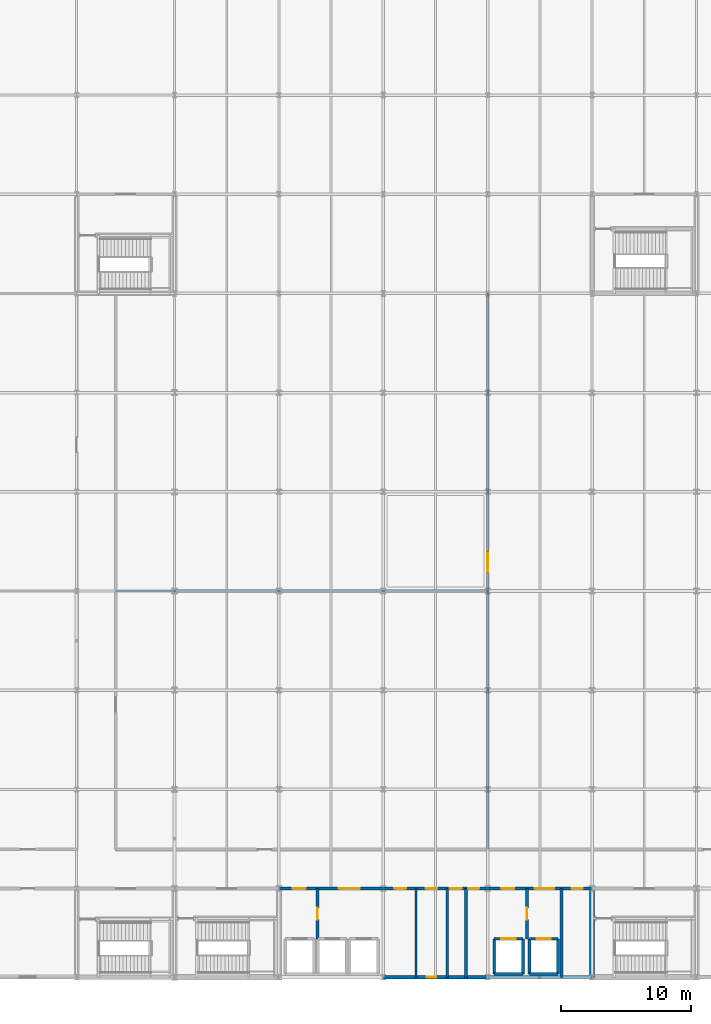
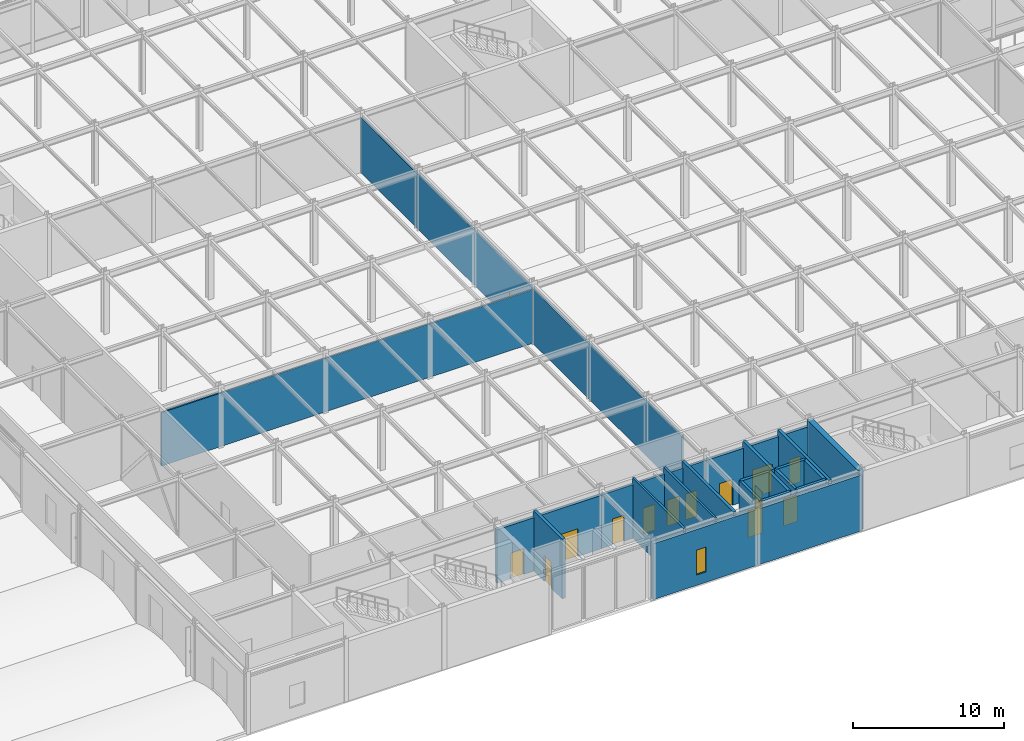
# One storey, part 58 of 79: 22 walls, 14 doors, 1 window, 15 openings.
"""IFC4 building model written with IfcOpenShell, lengths in metres."""

from ifc_helpers import new_model, si_unit, direction, frame, frame_2d, origin, place, context, subcontext, project, spatial, rectangle, extrude, material, layer, layer_set, type_object, element, fill, save


model = new_model("IFC4")

# Units and contexts
model_context = context("Model", 3, precision=1e-05, world=origin(), true_north=direction((0.0, 1.0)))
body_context = subcontext(model_context, "Body", "Model", "MODEL_VIEW")
ifc_project = project(units=[si_unit("LENGTHUNIT", "METRE"), si_unit("AREAUNIT", "SQUARE_METRE"), si_unit("VOLUMEUNIT", "CUBIC_METRE"), si_unit("PLANEANGLEUNIT", "RADIAN"), si_unit("MASSUNIT", "GRAM", prefix="KILO")], contexts=[model_context])

# Site, building, storey
site_placement = place(None, origin())
site = spatial("IfcSite", under=ifc_project, at=site_placement, CompositionType="ELEMENT")
building_placement = place(site_placement, origin())
building = spatial("IfcBuilding", under=site, at=building_placement, Name="Shalkamar Park Central Library", CompositionType="ELEMENT")
storey_placement = place(building_placement, frame((0.0, 0.0, 10.5)))
storey = spatial("IfcBuildingStorey", under=building, at=storey_placement, Name="L03", CompositionType="ELEMENT", Elevation=10.5)

# Wall, opening, door
ifc_material_1 = material(Name="Acoustic insulated reading partition", Category="masonry")
ifc_layer_1 = layer(ifc_material_1, 0.139892578125)
ifc_layer_set_1 = layer_set([ifc_layer_1], Name="AcousticPartition_140")
wall_type_1 = type_object("IfcWallType", Name="Acoustic Partition 140", PredefinedType="PARTITIONING", material=ifc_layer_set_1)
wall_1_placement = place(storey_placement, frame((189.0, 258.199951171875, 0.0), z_axis=(0.0, 0.0, 1.0), x_axis=(0.0, 1.0, 0.0)))
wall_1 = element("IfcWall", 1, at=wall_1_placement, inside=storey, type_object=wall_type_1, Name="Interior Partition WL-INT-L03-023", PredefinedType="PARTITIONING", context=body_context, shape_type="SweptSolid", body=[
    extrude(rectangle(XDim=42.60009765625, YDim=0.139892578125, at=frame_2d((21.300048828125, 0.0))), origin(), (0.0, 0.0, 1.0), 4.43798828125),
])
opening_1_placement = place(wall_1_placement, frame((21.199951171875, 0.0, 0.0)))
opening_1 = element("IfcOpeningElement", 2, at=opening_1_placement, cuts=wall_1, Name="Opening DR-L03-024", PredefinedType="OPENING", context=body_context, shape_type="SweptSolid", body=[
    extrude(rectangle(XDim=1.60009765625, YDim=2.25, at=frame_2d((0.800048828125, 1.125))), frame((0.0, 0.0849609375, 0.0), z_axis=(0.0, -1.0, 0.0), x_axis=(1.0, 0.0, 0.0)), (0.0, 0.0, 1.0), 0.169677734375),
])
ifc_material_2 = material(Name="Steel S355", Category="steel")
door_type_1 = type_object("IfcDoorType", Name="Interior Door Double 1600x2250", OperationType="DOUBLE_DOOR_SINGLE_SWING", PredefinedType="DOOR", material=ifc_material_2)
door_1_placement = place(opening_1_placement, frame((1.60009765625, 0.0, 0.0), z_axis=(0.0, 0.0, 1.0), x_axis=(-1.0, 0.0, 0.0)))
door_1 = element("IfcDoor", 3, at=door_1_placement, inside=storey, type_object=door_type_1, Name="Stacks West Interconnect Door", OperationType="DOUBLE_DOOR_SINGLE_SWING", OverallHeight=2.25, OverallWidth=1.60009765625, PredefinedType="DOOR", context=body_context, shape_type="SweptSolid", body=[
    extrude(rectangle(XDim=1.60009765625, YDim=2.25, at=frame_2d((0.800048828125, 1.125))), frame((0.0, 0.02490234375, 0.0), z_axis=(0.0, -1.0, 0.0), x_axis=(1.0, 0.0, 0.0)), (0.0, 0.0, 1.0), 0.050048828125),
])
fill(opening_1, door_1)

ifc_material_3 = material(Name="Reinforced fire-compartment masonry wall", Category="masonry")
ifc_layer_2 = layer(ifc_material_3, 0.239990234375)
ifc_layer_set_2 = layer_set([ifc_layer_2], Name="CompartmentWall_240")
wall_type_2 = type_object("IfcWallType", Name="Compartment Wall 240", PredefinedType="PARTITIONING", material=ifc_layer_set_2)
wall_2_placement = place(storey_placement, frame((175.949951171875, 251.35009765625, 0.0), z_axis=(0.0, 0.0, 1.0), x_axis=(0.0, 1.0, 0.0)))
wall_2 = element("IfcWall", 4, at=wall_2_placement, inside=storey, type_object=wall_type_2, Name="Interior Partition WL-INT-L03-001", PredefinedType="PARTITIONING", context=body_context, shape_type="SweptSolid", body=[
    extrude(rectangle(XDim=3.849853515625, YDim=0.239990234375, at=frame_2d((1.9248046875, 0.0))), origin(), (0.0, 0.0, 1.0), 4.840087890625),
])
opening_2_placement = place(wall_2_placement, frame((1.47509765625, 0.0, 0.0)))
opening_2 = element("IfcOpeningElement", 5, at=opening_2_placement, cuts=wall_2, Name="Opening DR-L03-001", PredefinedType="OPENING", context=body_context, shape_type="SweptSolid", body=[
    extrude(rectangle(XDim=0.89990234375, YDim=2.10009765625, at=frame_2d((0.449951171875, 1.050048828125))), frame((0.0, 0.134765625, 0.0), z_axis=(0.0, -1.0, 0.0), x_axis=(1.0, 0.0, 0.0)), (0.0, 0.0, 1.0), 0.269775390625),
])
door_type_2 = type_object("IfcDoorType", Name="Fire Door Single 900x2100", OperationType="NOTDEFINED", PredefinedType="DOOR", material=ifc_material_2)
door_2_placement = place(opening_2_placement, origin())
door_2 = element("IfcDoor", 6, at=door_2_placement, inside=storey, type_object=door_type_2, Name="Fire Lobby Interconnect Door", OperationType="SINGLE_SWING_LEFT", OverallHeight=2.10009765625, OverallWidth=0.89990234375, PredefinedType="DOOR", context=body_context, shape_type="SweptSolid", body=[
    extrude(rectangle(XDim=0.89990234375, YDim=2.10009765625, at=frame_2d((0.449951171875, 1.050048828125))), frame((0.0, 0.02490234375, 0.0), z_axis=(0.0, -1.0, 0.0), x_axis=(1.0, 0.0, 0.0)), (0.0, 0.0, 1.0), 0.050048828125),
])
fill(opening_2, door_2)

wall_3_placement = place(storey_placement, frame((192.0, 251.35009765625, 0.0), z_axis=(0.0, 0.0, 1.0), x_axis=(0.0, 1.0, 0.0)))
wall_3 = element("IfcWall", 7, at=wall_3_placement, inside=storey, type_object=wall_type_2, Name="Interior Partition WL-INT-L03-002", PredefinedType="PARTITIONING", context=body_context, shape_type="SweptSolid", body=[
    extrude(rectangle(XDim=3.849853515625, YDim=0.239990234375, at=frame_2d((1.9248046875, 0.0))), origin(), (0.0, 0.0, 1.0), 4.840087890625),
])
opening_3_placement = place(wall_3_placement, frame((1.47509765625, 0.0, 0.0)))
opening_3 = element("IfcOpeningElement", 8, at=opening_3_placement, cuts=wall_3, Name="Opening DR-L03-002", PredefinedType="OPENING", context=body_context, shape_type="SweptSolid", body=[
    extrude(rectangle(XDim=0.89990234375, YDim=2.10009765625, at=frame_2d((0.449951171875, 1.050048828125))), frame((0.0, 0.134765625, 0.0), z_axis=(0.0, -1.0, 0.0), x_axis=(1.0, 0.0, 0.0)), (0.0, 0.0, 1.0), 0.269775390625),
])
door_3_placement = place(opening_3_placement, frame((0.89990234375, 0.0, 0.0), z_axis=(0.0, 0.0, 1.0), x_axis=(-1.0, 0.0, 0.0)))
door_3 = element("IfcDoor", 9, at=door_3_placement, inside=storey, type_object=door_type_2, Name="Fire Lobby Interconnect Door", OperationType="SINGLE_SWING_LEFT", OverallHeight=2.10009765625, OverallWidth=0.89990234375, PredefinedType="DOOR", context=body_context, shape_type="SweptSolid", body=[
    extrude(rectangle(XDim=0.89990234375, YDim=2.10009765625, at=frame_2d((0.449951171875, 1.050048828125))), frame((0.0, 0.02490234375, 0.0), z_axis=(0.0, -1.0, 0.0), x_axis=(1.0, 0.0, 0.0)), (0.0, 0.0, 1.0), 0.050048828125),
])
fill(opening_3, door_3)

# Wall, openings, doors
wall_4_placement = place(storey_placement, frame((173.0, 255.199951171875, 0.0), z_axis=(0.0, 0.0, 1.0), x_axis=(1.0, 0.0, 0.0)))
wall_4 = element("IfcWall", 10, at=wall_4_placement, inside=storey, type_object=wall_type_2, Name="Interior Partition WL-INT-L03-007", PredefinedType="PARTITIONING", context=body_context, shape_type="SweptSolid", body=[
    extrude(rectangle(XDim=8.0, YDim=0.239990234375, at=frame_2d((4.0, 0.0))), origin(), (0.0, 0.0, 1.0), 4.337890625),
])
opening_4_placement = place(wall_4_placement, frame((1.050048828125, 0.0, 0.0)))
opening_4 = element("IfcOpeningElement", 11, at=opening_4_placement, cuts=wall_4, Name="Opening DR-L03-003", PredefinedType="OPENING", context=body_context, shape_type="SweptSolid", body=[
    extrude(rectangle(XDim=1.0, YDim=2.10009765625, at=frame_2d((0.5, 1.050048828125))), frame((0.0, 0.134765625, 0.0), z_axis=(0.0, -1.0, 0.0), x_axis=(1.0, 0.0, 0.0)), (0.0, 0.0, 1.0), 0.269775390625),
])
opening_5_placement = place(wall_4_placement, frame((4.60009765625, 0.0, 0.0)))
opening_5 = element("IfcOpeningElement", 12, at=opening_5_placement, cuts=wall_4, Name="Opening DR-L03-004", PredefinedType="OPENING", context=body_context, shape_type="SweptSolid", body=[
    extrude(rectangle(XDim=1.60009765625, YDim=2.25, at=frame_2d((0.800048828125, 1.125))), frame((0.0, 0.134765625, 0.0), z_axis=(0.0, -1.0, 0.0), x_axis=(1.0, 0.0, 0.0)), (0.0, 0.0, 1.0), 0.269775390625),
])
door_type_3 = type_object("IfcDoorType", Name="Fire Door Single 1000x2100", OperationType="NOTDEFINED", PredefinedType="DOOR", material=ifc_material_2)
door_4_placement = place(opening_4_placement, origin())
door_4 = element("IfcDoor", 13, at=door_4_placement, inside=storey, type_object=door_type_3, Name="West Firefighting Lobby Door", OperationType="SINGLE_SWING_LEFT", OverallHeight=2.10009765625, OverallWidth=1.0, PredefinedType="DOOR", context=body_context, shape_type="SweptSolid", body=[
    extrude(rectangle(XDim=1.0, YDim=2.10009765625, at=frame_2d((0.5, 1.050048828125))), frame((0.0, 0.02490234375, 0.0), z_axis=(0.0, -1.0, 0.0), x_axis=(1.0, 0.0, 0.0)), (0.0, 0.0, 1.0), 0.050048828125),
])
fill(opening_4, door_4)
door_5_placement = place(opening_5_placement, frame((1.60009765625, 0.0, 0.0), z_axis=(0.0, 0.0, 1.0), x_axis=(-1.0, 0.0, 0.0)))
door_5 = element("IfcDoor", 14, at=door_5_placement, inside=storey, type_object=door_type_1, Name="West Lift Lobby Entrance", OperationType="DOUBLE_DOOR_SINGLE_SWING", OverallHeight=2.25, OverallWidth=1.60009765625, PredefinedType="DOOR", context=body_context, shape_type="SweptSolid", body=[
    extrude(rectangle(XDim=1.60009765625, YDim=2.25, at=frame_2d((0.800048828125, 1.125))), frame((0.0, 0.02490234375, 0.0), z_axis=(0.0, -1.0, 0.0), x_axis=(1.0, 0.0, 0.0)), (0.0, 0.0, 1.0), 0.050048828125),
])
fill(opening_5, door_5)

wall_5_placement = place(storey_placement, frame((189.0, 255.199951171875, 0.0), z_axis=(0.0, 0.0, 1.0), x_axis=(1.0, 0.0, 0.0)))
wall_5 = element("IfcWall", 15, at=wall_5_placement, inside=storey, type_object=wall_type_2, Name="Interior Partition WL-INT-L03-009", PredefinedType="PARTITIONING", context=body_context, shape_type="SweptSolid", body=[
    extrude(rectangle(XDim=8.0, YDim=0.239990234375, at=frame_2d((4.0, 0.0))), origin(), (0.0, 0.0, 1.0), 4.337890625),
])
opening_6_placement = place(wall_5_placement, frame((1.050048828125, 0.0, 0.0)))
opening_6 = element("IfcOpeningElement", 16, at=opening_6_placement, cuts=wall_5, Name="Opening DR-L03-009", PredefinedType="OPENING", context=body_context, shape_type="SweptSolid", body=[
    extrude(rectangle(XDim=1.0, YDim=2.10009765625, at=frame_2d((0.5, 1.050048828125))), frame((0.0, 0.134765625, 0.0), z_axis=(0.0, -1.0, 0.0), x_axis=(1.0, 0.0, 0.0)), (0.0, 0.0, 1.0), 0.269775390625),
])
opening_7_placement = place(wall_5_placement, frame((3.60009765625, 0.0, 0.0)))
opening_7 = element("IfcOpeningElement", 17, at=opening_7_placement, cuts=wall_5, Name="Opening DR-L03-010", PredefinedType="OPENING", context=body_context, shape_type="SweptSolid", body=[
    extrude(rectangle(XDim=1.5, YDim=2.25, at=frame_2d((0.75, 1.125))), frame((0.0, 0.134765625, 0.0), z_axis=(0.0, -1.0, 0.0), x_axis=(1.0, 0.0, 0.0)), (0.0, 0.0, 1.0), 0.269775390625),
])
opening_8_placement = place(wall_5_placement, frame((6.425048828125, 0.0, 0.0)))
opening_8 = element("IfcOpeningElement", 18, at=opening_8_placement, cuts=wall_5, Name="Opening DR-L03-011", PredefinedType="OPENING", context=body_context, shape_type="SweptSolid", body=[
    extrude(rectangle(XDim=0.85009765625, YDim=2.10009765625, at=frame_2d((0.425048828125, 1.050048828125))), frame((0.0, 0.134765625, 0.0), z_axis=(0.0, -1.0, 0.0), x_axis=(1.0, 0.0, 0.0)), (0.0, 0.0, 1.0), 0.269775390625),
])
door_type_4 = type_object("IfcDoorType", Name="Fire Door Riser 850x2100", OperationType="NOTDEFINED", PredefinedType="DOOR", material=ifc_material_2)
door_6_placement = place(opening_8_placement, frame((0.85009765625, 0.0, 0.0), z_axis=(0.0, 0.0, 1.0), x_axis=(-1.0, 0.0, 0.0)))
door_6 = element("IfcDoor", 19, at=door_6_placement, inside=storey, type_object=door_type_4, Name="Mechanical Riser Access Door", OperationType="SINGLE_SWING_LEFT", OverallHeight=2.10009765625, OverallWidth=0.85009765625, PredefinedType="DOOR", context=body_context, shape_type="SweptSolid", body=[
    extrude(rectangle(XDim=0.85009765625, YDim=2.10009765625, at=frame_2d((0.425048828125, 1.050048828125))), frame((0.0, 0.02490234375, 0.0), z_axis=(0.0, -1.0, 0.0), x_axis=(1.0, 0.0, 0.0)), (0.0, 0.0, 1.0), 0.050048828125),
])
fill(opening_8, door_6)
door_7_placement = place(opening_6_placement, origin())
door_7 = element("IfcDoor", 20, at=door_7_placement, inside=storey, type_object=door_type_3, Name="East Firefighting Lobby Door", OperationType="SINGLE_SWING_LEFT", OverallHeight=2.10009765625, OverallWidth=1.0, PredefinedType="DOOR", context=body_context, shape_type="SweptSolid", body=[
    extrude(rectangle(XDim=1.0, YDim=2.10009765625, at=frame_2d((0.5, 1.050048828125))), frame((0.0, 0.02490234375, 0.0), z_axis=(0.0, -1.0, 0.0), x_axis=(1.0, 0.0, 0.0)), (0.0, 0.0, 1.0), 0.050048828125),
])
fill(opening_6, door_7)
door_type_5 = type_object("IfcDoorType", Name="Interior Door Double 1500x2250", OperationType="DOUBLE_DOOR_SINGLE_SWING", PredefinedType="DOOR", material=ifc_material_2)
door_8_placement = place(opening_7_placement, origin())
door_8 = element("IfcDoor", 21, at=door_8_placement, inside=storey, type_object=door_type_5, Name="East Lift Lobby Entrance", OperationType="DOUBLE_DOOR_SINGLE_SWING", OverallHeight=2.25, OverallWidth=1.5, PredefinedType="DOOR", context=body_context, shape_type="SweptSolid", body=[
    extrude(rectangle(XDim=1.5, YDim=2.25, at=frame_2d((0.75, 1.125))), frame((0.0, 0.02490234375, 0.0), z_axis=(0.0, -1.0, 0.0), x_axis=(1.0, 0.0, 0.0)), (0.0, 0.0, 1.0), 0.050048828125),
])
fill(opening_7, door_8)

ifc_material_4 = material(Name="Fire-rated corridor partition wall", Category="masonry")
ifc_layer_3 = layer(ifc_material_4, 0.199951171875)
ifc_layer_set_3 = layer_set([ifc_layer_3], Name="CorridorFireWall_200")
wall_type_3 = type_object("IfcWallType", Name="Corridor Fire Wall 200", PredefinedType="PARTITIONING", material=ifc_layer_set_3)
wall_6_placement = place(storey_placement, frame((181.0, 255.199951171875, 0.0), z_axis=(0.0, 0.0, 1.0), x_axis=(1.0, 0.0, 0.0)))
wall_6 = element("IfcWall", 22, at=wall_6_placement, inside=storey, type_object=wall_type_3, Name="Interior Partition WL-INT-L03-008", PredefinedType="PARTITIONING", context=body_context, shape_type="SweptSolid", body=[
    extrude(rectangle(XDim=8.0, YDim=0.199951171875, at=frame_2d((4.0, 0.0))), origin(), (0.0, 0.0, 1.0), 4.337890625),
])
opening_9_placement = place(wall_6_placement, frame((0.85009765625, 0.0, 0.0)))
opening_9 = element("IfcOpeningElement", 23, at=opening_9_placement, cuts=wall_6, Name="Opening DR-L03-005", PredefinedType="OPENING", context=body_context, shape_type="SweptSolid", body=[
    extrude(rectangle(XDim=0.89990234375, YDim=2.10009765625, at=frame_2d((0.449951171875, 1.050048828125))), frame((0.0, 0.11474609375, 0.0), z_axis=(0.0, -1.0, 0.0), x_axis=(1.0, 0.0, 0.0)), (0.0, 0.0, 1.0), 0.229736328125),
])
opening_10_placement = place(wall_6_placement, frame((3.25, 0.0, 0.0)))
opening_10 = element("IfcOpeningElement", 24, at=opening_10_placement, cuts=wall_6, Name="Opening DR-L03-006", PredefinedType="OPENING", context=body_context, shape_type="SweptSolid", body=[
    extrude(rectangle(XDim=0.89990234375, YDim=2.10009765625, at=frame_2d((0.449951171875, 1.050048828125))), frame((0.0, 0.11474609375, 0.0), z_axis=(0.0, -1.0, 0.0), x_axis=(1.0, 0.0, 0.0)), (0.0, 0.0, 1.0), 0.229736328125),
])
opening_11_placement = place(wall_6_placement, frame((5.074951171875, 0.0, 0.0)))
opening_11 = element("IfcOpeningElement", 25, at=opening_11_placement, cuts=wall_6, Name="Opening DR-L03-007", PredefinedType="OPENING", context=body_context, shape_type="SweptSolid", body=[
    extrude(rectangle(XDim=0.949951171875, YDim=2.10009765625, at=frame_2d((0.47509765625, 1.050048828125))), frame((0.0, 0.11474609375, 0.0), z_axis=(0.0, -1.0, 0.0), x_axis=(1.0, 0.0, 0.0)), (0.0, 0.0, 1.0), 0.229736328125),
])
opening_12_placement = place(wall_6_placement, frame((6.5, 0.0, 0.0)))
opening_12 = element("IfcOpeningElement", 26, at=opening_12_placement, cuts=wall_6, Name="Opening DR-L03-008", PredefinedType="OPENING", context=body_context, shape_type="SweptSolid", body=[
    extrude(rectangle(XDim=0.85009765625, YDim=2.10009765625, at=frame_2d((0.425048828125, 1.050048828125))), frame((0.0, 0.11474609375, 0.0), z_axis=(0.0, -1.0, 0.0), x_axis=(1.0, 0.0, 0.0)), (0.0, 0.0, 1.0), 0.229736328125),
])
door_9_placement = place(opening_12_placement, frame((0.85009765625, 0.0, 0.0), z_axis=(0.0, 0.0, 1.0), x_axis=(-1.0, 0.0, 0.0)))
door_9 = element("IfcDoor", 27, at=door_9_placement, inside=storey, type_object=door_type_4, Name="Electrical Riser Access Door", OperationType="SINGLE_SWING_LEFT", OverallHeight=2.10009765625, OverallWidth=0.85009765625, PredefinedType="DOOR", context=body_context, shape_type="SweptSolid", body=[
    extrude(rectangle(XDim=0.85009765625, YDim=2.10009765625, at=frame_2d((0.425048828125, 1.050048828125))), frame((0.0, 0.02490234375, 0.0), z_axis=(0.0, -1.0, 0.0), x_axis=(1.0, 0.0, 0.0)), (0.0, 0.0, 1.0), 0.050048828125),
])
fill(opening_12, door_9)
door_type_6 = type_object("IfcDoorType", Name="Interior Door Single 900x2100", OperationType="NOTDEFINED", PredefinedType="DOOR", material=ifc_material_2)
door_10_placement = place(opening_9_placement, frame((0.89990234375, 0.0, 0.0), z_axis=(0.0, 0.0, 1.0), x_axis=(-1.0, 0.0, 0.0)))
door_10 = element("IfcDoor", 28, at=door_10_placement, inside=storey, type_object=door_type_6, Name="Male WC Door", OperationType="SINGLE_SWING_RIGHT", OverallHeight=2.10009765625, OverallWidth=0.89990234375, PredefinedType="DOOR", context=body_context, shape_type="SweptSolid", body=[
    extrude(rectangle(XDim=0.89990234375, YDim=2.10009765625, at=frame_2d((0.449951171875, 1.050048828125))), frame((0.0, 0.02490234375, 0.0), z_axis=(0.0, -1.0, 0.0), x_axis=(1.0, 0.0, 0.0)), (0.0, 0.0, 1.0), 0.050048828125),
])
fill(opening_9, door_10)
door_11_placement = place(opening_10_placement, frame((0.89990234375, 0.0, 0.0), z_axis=(0.0, 0.0, 1.0), x_axis=(-1.0, 0.0, 0.0)))
door_11 = element("IfcDoor", 29, at=door_11_placement, inside=storey, type_object=door_type_6, Name="Female WC Door", OperationType="SINGLE_SWING_RIGHT", OverallHeight=2.10009765625, OverallWidth=0.89990234375, PredefinedType="DOOR", context=body_context, shape_type="SweptSolid", body=[
    extrude(rectangle(XDim=0.89990234375, YDim=2.10009765625, at=frame_2d((0.449951171875, 1.050048828125))), frame((0.0, 0.02490234375, 0.0), z_axis=(0.0, -1.0, 0.0), x_axis=(1.0, 0.0, 0.0)), (0.0, 0.0, 1.0), 0.050048828125),
])
fill(opening_10, door_11)
door_type_7 = type_object("IfcDoorType", Name="Interior Door Single 950x2100", OperationType="NOTDEFINED", PredefinedType="DOOR", material=ifc_material_2)
door_12_placement = place(opening_11_placement, frame((0.949951171875, 0.0, 0.0), z_axis=(0.0, 0.0, 1.0), x_axis=(-1.0, 0.0, 0.0)))
door_12 = element("IfcDoor", 30, at=door_12_placement, inside=storey, type_object=door_type_7, Name="Universal Accessible WC Door", OperationType="SINGLE_SWING_LEFT", OverallHeight=2.10009765625, OverallWidth=0.949951171875, PredefinedType="DOOR", context=body_context, shape_type="SweptSolid", body=[
    extrude(rectangle(XDim=0.949951171875, YDim=2.10009765625, at=frame_2d((0.47509765625, 1.050048828125))), frame((0.0, 0.02490234375, 0.0), z_axis=(0.0, -1.0, 0.0), x_axis=(1.0, 0.0, 0.0)), (0.0, 0.0, 1.0), 0.050048828125),
])
fill(opening_11, door_12)

# Walls
ifc_material_5 = material(Name="Concrete C40/50", Category="concrete")
ifc_layer_4 = layer(ifc_material_5, 0.219970703125)
ifc_layer_set_4 = layer_set([ifc_layer_4], Name="Concrete C40/50")
wall_type_4 = type_object("IfcWallType", Name="Lift Hoistway Shear Wall 220", PredefinedType="SHEAR", material=ifc_layer_set_4)
wall_7_placement = place(storey_placement, frame((189.5, 248.64990234375, 0.0), z_axis=(0.0, 0.0, 1.0), x_axis=(1.0, 0.0, 0.0)))
element("IfcWall", 31, at=wall_7_placement, inside=storey, type_object=wall_type_4, Name="Lift FFL-02 Hoistway South Wall (L03)", PredefinedType="SHEAR", context=body_context, shape_type="SweptSolid", body=[
    extrude(rectangle(XDim=2.199951171875, YDim=0.219970703125, at=frame_2d((1.10009765625, 0.0))), origin(), (0.0, 0.0, 1.0), 4.840087890625),
])
for number, where, z_axis, x_axis, name in (
    (32, (189.5, 248.64990234375, 0.0), (0.0, 0.0, 1.0), (0.0, 1.0, 0.0), "Lift FFL-02 Hoistway West Wall (L03)"),
    (33, (191.699951171875, 248.64990234375, 0.0), (0.0, 0.0, 1.0), (0.0, 1.0, 0.0), "Lift FFL-02 Hoistway East Wall (L03)"),
):
    element("IfcWall", number, at=place(storey_placement, frame(where, z_axis=z_axis, x_axis=x_axis)), inside=storey, type_object=wall_type_4, Name=name, PredefinedType="SHEAR", context=body_context, shape_type="SweptSolid", body=[
        extrude(rectangle(XDim=2.7001953125, YDim=0.219970703125, at=frame_2d((1.35009765625, 0.0))), origin(), (0.0, 0.0, 1.0), 4.840087890625),
    ])

# Wall, opening, door
wall_8_placement = place(storey_placement, frame((189.5, 251.35009765625, 0.0), z_axis=(0.0, 0.0, 1.0), x_axis=(1.0, 0.0, 0.0)))
wall_8 = element("IfcWall", 34, at=wall_8_placement, inside=storey, type_object=wall_type_4, Name="Lift FFL-02 Hoistway Front Wall (L03)", PredefinedType="SHEAR", context=body_context, shape_type="SweptSolid", body=[
    extrude(rectangle(XDim=2.199951171875, YDim=0.219970703125, at=frame_2d((1.10009765625, 0.0))), origin(), (0.0, 0.0, 1.0), 4.840087890625),
])
opening_13_placement = place(wall_8_placement, frame((0.550048828125, 0.0, 0.0)))
opening_13 = element("IfcOpeningElement", 35, at=opening_13_placement, cuts=wall_8, Name="Opening LD-FFL-02-L03", PredefinedType="OPENING", context=body_context, shape_type="SweptSolid", body=[
    extrude(rectangle(XDim=1.10009765625, YDim=2.14990234375, at=frame_2d((0.550048828125, 1.074951171875))), frame((0.0, 0.125, 0.0), z_axis=(0.0, -1.0, 0.0), x_axis=(1.0, 0.0, 0.0)), (0.0, 0.0, 1.0), 0.249755859375),
])
door_type_8 = type_object("IfcDoorType", Name="Fire Lift Landing Door 1100x2150", OperationType="DOUBLE_DOOR_SLIDING", PredefinedType="USERDEFINED", material=ifc_material_2)
door_13_placement = place(opening_13_placement, origin())
door_13 = element("IfcDoor", 36, at=door_13_placement, inside=storey, type_object=door_type_8, Name="Lift FFL-02 Sliding Landing Door (L03)", ObjectType="SLIDING LANDING DOOR", OperationType="DOUBLE_DOOR_SLIDING", OverallHeight=2.14990234375, OverallWidth=1.10009765625, PredefinedType="USERDEFINED", context=body_context, shape_type="SweptSolid", body=[
    extrude(rectangle(XDim=1.10009765625, YDim=2.14990234375, at=frame_2d((0.550048828125, 1.074951171875))), frame((0.0, 0.02490234375, 0.0), z_axis=(0.0, -1.0, 0.0), x_axis=(1.0, 0.0, 0.0)), (0.0, 0.0, 1.0), 0.050048828125),
])
fill(opening_13, door_13)

# Walls
wall_9_placement = place(storey_placement, frame((192.199951171875, 248.64990234375, 0.0), z_axis=(0.0, 0.0, 1.0), x_axis=(1.0, 0.0, 0.0)))
element("IfcWall", 37, at=wall_9_placement, inside=storey, type_object=wall_type_4, Name="Lift LT-03 Hoistway South Wall (L03)", PredefinedType="SHEAR", context=body_context, shape_type="SweptSolid", body=[
    extrude(rectangle(XDim=2.199951171875, YDim=0.219970703125, at=frame_2d((1.10009765625, 0.0))), origin(), (0.0, 0.0, 1.0), 4.840087890625),
])
for number, where, z_axis, x_axis, name in (
    (38, (192.199951171875, 248.64990234375, 0.0), (0.0, 0.0, 1.0), (0.0, 1.0, 0.0), "Lift LT-03 Hoistway West Wall (L03)"),
    (39, (194.39990234375, 248.64990234375, 0.0), (0.0, 0.0, 1.0), (0.0, 1.0, 0.0), "Lift LT-03 Hoistway East Wall (L03)"),
):
    element("IfcWall", number, at=place(storey_placement, frame(where, z_axis=z_axis, x_axis=x_axis)), inside=storey, type_object=wall_type_4, Name=name, PredefinedType="SHEAR", context=body_context, shape_type="SweptSolid", body=[
        extrude(rectangle(XDim=2.7001953125, YDim=0.219970703125, at=frame_2d((1.35009765625, 0.0))), origin(), (0.0, 0.0, 1.0), 4.840087890625),
    ])

# Wall, opening, door
wall_10_placement = place(storey_placement, frame((192.199951171875, 251.35009765625, 0.0), z_axis=(0.0, 0.0, 1.0), x_axis=(1.0, 0.0, 0.0)))
wall_10 = element("IfcWall", 40, at=wall_10_placement, inside=storey, type_object=wall_type_4, Name="Lift LT-03 Hoistway Front Wall (L03)", PredefinedType="SHEAR", context=body_context, shape_type="SweptSolid", body=[
    extrude(rectangle(XDim=2.199951171875, YDim=0.219970703125, at=frame_2d((1.10009765625, 0.0))), origin(), (0.0, 0.0, 1.0), 4.840087890625),
])
opening_14_placement = place(wall_10_placement, frame((0.574951171875, 0.0, 0.0)))
opening_14 = element("IfcOpeningElement", 41, at=opening_14_placement, cuts=wall_10, Name="Opening LD-LT-03-L03", PredefinedType="OPENING", context=body_context, shape_type="SweptSolid", body=[
    extrude(rectangle(XDim=1.050048828125, YDim=2.14990234375, at=frame_2d((0.52490234375, 1.074951171875))), frame((0.0, 0.125, 0.0), z_axis=(0.0, -1.0, 0.0), x_axis=(1.0, 0.0, 0.0)), (0.0, 0.0, 1.0), 0.249755859375),
])
door_type_9 = type_object("IfcDoorType", Name="Passenger Lift Landing Door 1050x2150", OperationType="DOUBLE_DOOR_SLIDING", PredefinedType="USERDEFINED", material=ifc_material_2)
door_14_placement = place(opening_14_placement, origin())
door_14 = element("IfcDoor", 42, at=door_14_placement, inside=storey, type_object=door_type_9, Name="Lift LT-03 Sliding Landing Door (L03)", ObjectType="SLIDING LANDING DOOR", OperationType="DOUBLE_DOOR_SLIDING", OverallHeight=2.14990234375, OverallWidth=1.050048828125, PredefinedType="USERDEFINED", context=body_context, shape_type="SweptSolid", body=[
    extrude(rectangle(XDim=1.050048828125, YDim=2.14990234375, at=frame_2d((0.52490234375, 1.074951171875))), frame((0.0, 0.02490234375, 0.0), z_axis=(0.0, -1.0, 0.0), x_axis=(1.0, 0.0, 0.0)), (0.0, 0.0, 1.0), 0.050048828125),
])
fill(opening_14, door_14)

# Walls
ifc_material_6 = material(Name="Moisture-resistant sanitary partition", Category="masonry")
ifc_layer_5 = layer(ifc_material_6, 0.159912109375)
ifc_layer_set_5 = layer_set([ifc_layer_5], Name="PlumbingChaseWall_160")
wall_type_5 = type_object("IfcWallType", Name="Plumbing Chase Wall 160", PredefinedType="PARTITIONING", material=ifc_layer_set_5)
for number, where, z_axis, x_axis, name in (
    (43, (183.5, 248.39990234375, 0.0), (0.0, 0.0, 1.0), (0.0, 1.0, 0.0), "Interior Partition WL-INT-L03-004"),
    (44, (185.89990234375, 248.39990234375, 0.0), (0.0, 0.0, 1.0), (0.0, 1.0, 0.0), "Interior Partition WL-INT-L03-005"),
):
    element("IfcWall", number, at=place(storey_placement, frame(where, z_axis=z_axis, x_axis=x_axis)), inside=storey, type_object=wall_type_5, Name=name, PredefinedType="PARTITIONING", context=body_context, shape_type="SweptSolid", body=[
        extrude(rectangle(XDim=6.800048828125, YDim=0.159912109375, at=frame_2d((3.39990234375, 0.0))), origin(), (0.0, 0.0, 1.0), 4.840087890625),
    ])
ifc_material_7 = material(Name="Fire-rated shaft enclosure wall", Category="masonry")
ifc_layer_6 = layer(ifc_material_7, 0.219970703125)
ifc_layer_set_6 = layer_set([ifc_layer_6], Name="ShaftWall_220")
wall_type_6 = type_object("IfcWallType", Name="Shaft Wall 220", PredefinedType="PARTITIONING", material=ifc_layer_set_6)
for number, where, z_axis, x_axis, name in (
    (45, (194.64990234375, 248.39990234375, 0.0), (0.0, 0.0, 1.0), (0.0, 1.0, 0.0), "Interior Partition WL-INT-L03-003"),
    (46, (187.35009765625, 248.39990234375, 0.0), (0.0, 0.0, 1.0), (0.0, 1.0, 0.0), "Interior Partition WL-INT-L03-006"),
):
    element("IfcWall", number, at=place(storey_placement, frame(where, z_axis=z_axis, x_axis=x_axis)), inside=storey, type_object=wall_type_6, Name=name, PredefinedType="PARTITIONING", context=body_context, shape_type="SweptSolid", body=[
        extrude(rectangle(XDim=6.800048828125, YDim=0.219970703125, at=frame_2d((3.39990234375, 0.0))), origin(), (0.0, 0.0, 1.0), 4.840087890625),
    ])
ifc_material_8 = material(Name="Lightweight acoustic stud partition", Category="masonry")
ifc_layer_7 = layer(ifc_material_8, 0.1201171875)
ifc_layer_set_7 = layer_set([ifc_layer_7], Name="StandardPartition_120")
wall_type_7 = type_object("IfcWallType", Name="Standard Partition 120", PredefinedType="PARTITIONING", material=ifc_layer_set_7)
wall_11_placement = place(storey_placement, frame((160.5, 278.0, 0.0), z_axis=(0.0, 0.0, 1.0), x_axis=(1.0, 0.0, 0.0)))
element("IfcWall", 47, at=wall_11_placement, inside=storey, type_object=wall_type_7, Name="Interior Partition WL-INT-L03-024", PredefinedType="PARTITIONING", context=body_context, shape_type="SweptSolid", body=[
    extrude(rectangle(XDim=28.5, YDim=0.1201171875, at=frame_2d((14.25, 0.0))), origin(), (0.0, 0.0, 1.0), 4.337890625),
])
ifc_layer_8 = layer(ifc_material_5, 0.39990234375)
ifc_layer_set_8 = layer_set([ifc_layer_8], Name="Concrete C40/50")
wall_type_8 = type_object("IfcWallType", Name="Tower Core Shear Wall 400", PredefinedType="SHEAR", material=ifc_layer_set_8)
wall_12_placement = place(storey_placement, frame((197.0, 248.39990234375, 0.0), z_axis=(0.0, 0.0, 1.0), x_axis=(0.0, 1.0, 0.0)))
element("IfcWall", 48, at=wall_12_placement, inside=storey, type_object=wall_type_8, Name="CORE-T2 West Shear Wall (L03)", PredefinedType="SHEAR", context=body_context, shape_type="SweptSolid", body=[
    extrude(rectangle(XDim=6.800048828125, YDim=0.39990234375, at=frame_2d((3.39990234375, 0.0))), origin(), (0.0, 0.0, 1.0), 4.840087890625),
])

# Wall, opening, window
ifc_material_9 = material(Name="Travertine insulated rainscreen", Category="masonry")
ifc_layer_9 = layer(ifc_material_9, 0.2900390625)
ifc_layer_set_9 = layer_set([ifc_layer_9], Name="TravertineTerracottaWall_290")
wall_type_9 = type_object("IfcWallType", Name="Travertine Terracotta Wall 290", PredefinedType="SOLIDWALL", material=ifc_layer_set_9)
wall_13_placement = place(storey_placement, frame((181.006103515625, 248.39990234375, 0.0), z_axis=(0.0, 0.0, 1.0), x_axis=(1.0, 0.0, 0.0)))
wall_13 = element("IfcWall", 49, at=wall_13_placement, inside=storey, type_object=wall_type_9, Name="Exterior Facade Wall WL-EXT-L03-085", PredefinedType="SOLIDWALL", context=body_context, shape_type="SweptSolid", body=[
    extrude(rectangle(XDim=7.98779296875, YDim=0.2900390625, at=frame_2d((3.993896484375, 0.0))), origin(), (0.0, 0.0, 1.0), 4.528076171875),
])
opening_15_placement = place(wall_13_placement, frame((3.319091796875, 0.0, 0.85009765625)))
opening_15 = element("IfcOpeningElement", 50, at=opening_15_placement, cuts=wall_13, Name="Opening WN-18", PredefinedType="OPENING", context=body_context, shape_type="SweptSolid", body=[
    extrude(rectangle(XDim=0.75, YDim=2.0, at=frame_2d((0.375, 1.0))), frame((0.0, 0.159912109375, 0.0), z_axis=(0.0, -1.0, 0.0), x_axis=(1.0, 0.0, 0.0)), (0.0, 0.0, 1.0), 0.31982421875),
])
ifc_material_10 = material(Name="Thermally broken aluminium and triple low-e glass", Category="glass")
window_type = type_object("IfcWindowType", Name="Archive Slit Window 750x2000", PartitioningType="SINGLE_PANEL", PredefinedType="WINDOW", material=ifc_material_10)
window_placement = place(opening_15_placement, origin())
window = element("IfcWindow", 51, at=window_placement, inside=storey, type_object=window_type, Name="Facade Window WN-L03-050", OverallHeight=2.0, OverallWidth=0.75, PartitioningType="SINGLE_PANEL", PredefinedType="WINDOW", context=body_context, shape_type="SweptSolid", body=[
    extrude(rectangle(XDim=0.75, YDim=2.0, at=frame_2d((0.375, 1.0))), frame((0.0, 0.030029296875, 0.0), z_axis=(0.0, -1.0, 0.0), x_axis=(1.0, 0.0, 0.0)), (0.0, 0.0, 1.0), 0.06005859375),
])
fill(opening_15, window)

# Wall
wall_14_placement = place(storey_placement, frame((189.006103515625, 248.39990234375, 0.0), z_axis=(0.0, 0.0, 1.0), x_axis=(1.0, 0.0, 0.0)))
element("IfcWall", 52, at=wall_14_placement, inside=storey, type_object=wall_type_9, Name="Exterior Facade Wall WL-EXT-L03-086", PredefinedType="SOLIDWALL", context=body_context, shape_type="SweptSolid", body=[
    extrude(rectangle(XDim=7.98779296875, YDim=0.2900390625, at=frame_2d((3.993896484375, 0.0))), origin(), (0.0, 0.0, 1.0), 4.528076171875),
])

save(model, "model.ifc")
